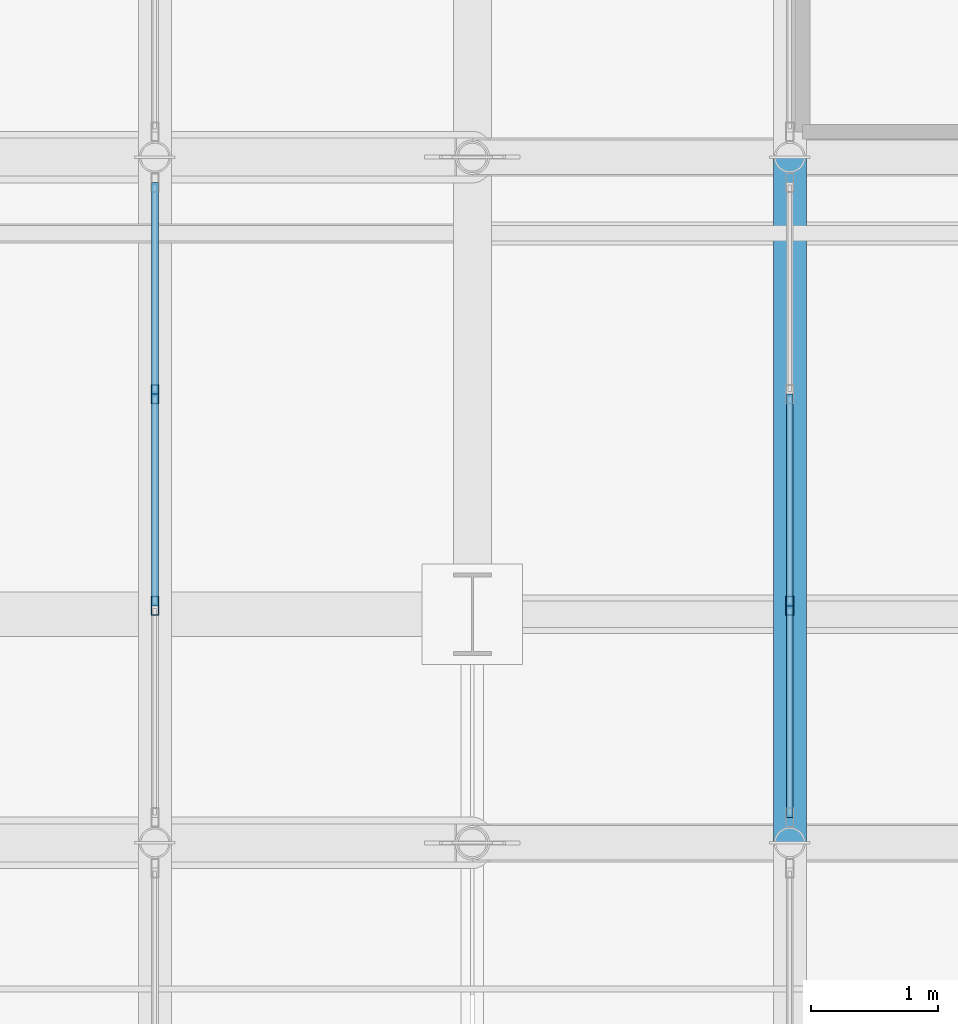
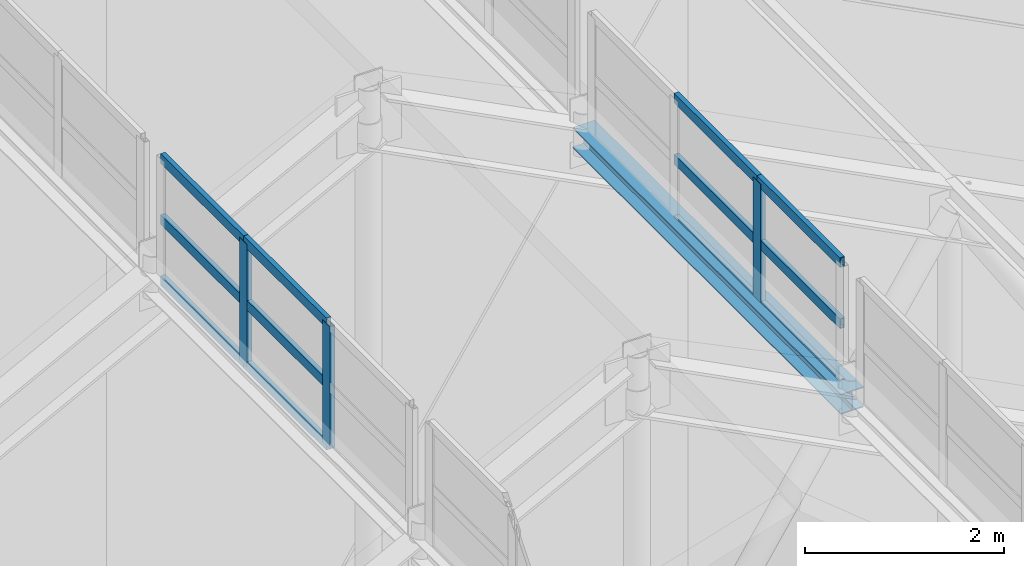
# One storey, part 52 of 84: 15 members, 1 beam, 2 elements without a shape of their own.
"""IFC4 building model written with IfcOpenShell, lengths in metres."""

from ifc_helpers import new_model, si_unit, direction, frame, origin, origin_2d, place, context, subcontext, project, spatial, hollow_rectangle, i_section, extrude, material, layer, layer_set, material_profile, profile_set, type_object, element, aggregate, save


model = new_model("IFC4")

# Units and contexts
model_context = context("Model", 3, precision=1e-05, world=origin(), true_north=direction((0.0, 1.0)))
body_context = subcontext(model_context, "Body", "Model", "MODEL_VIEW")
ifc_project = project(units=[si_unit("LENGTHUNIT", "METRE"), si_unit("AREAUNIT", "SQUARE_METRE"), si_unit("VOLUMEUNIT", "CUBIC_METRE"), si_unit("PLANEANGLEUNIT", "RADIAN"), si_unit("MASSUNIT", "GRAM", prefix="KILO")], contexts=[model_context])

# Site, building, storey
site_placement = place(None, origin())
site = spatial("IfcSite", under=ifc_project, at=site_placement, CompositionType="ELEMENT")
building_placement = place(site_placement, origin())
building = spatial("IfcBuilding", under=site, at=building_placement, Name="Sundgate Opera House", CompositionType="ELEMENT")
storey_placement = place(building_placement, frame((0.0, 0.0, 30.60009765625)))
storey = spatial("IfcBuildingStorey", under=building, at=storey_placement, Name="L06", CompositionType="ELEMENT", Elevation=30.60009765625)

# Beam
ifc_material_1 = material(Name="Steel S355J2", Category="steel")
ifc_material_profile_1 = material_profile(ifc_material_1, i_section(OverallWidth=0.260009765625, OverallDepth=0.25, WebThickness=0.007568359375, FlangeThickness=0.012451171875, at=origin_2d()), Name="HEA 260")
ifc_profile_set_1 = profile_set([ifc_material_profile_1], Name="Steel S355J2")
beam_type = type_object("IfcBeamType", Name="BM-LN-HEA260", PredefinedType="LINTEL", material=ifc_profile_set_1)
beam_placement = place(storey_placement, frame((56.5, 76.199951171875, 16.119873046875), z_axis=(0.0, 1.0, 0.0), x_axis=(-1.0, 0.0, 0.0)))
element("IfcBeam", 1, at=beam_placement, inside=storey, type_object=beam_type, Name="L06 Crown Clerestory Curb Beam BS039", PredefinedType="LINTEL", context=body_context, shape_type="SweptSolid", body=[
    extrude(i_section(OverallWidth=0.260009765625, OverallDepth=0.25, WebThickness=0.007568359375, FlangeThickness=0.012451171875, at=origin_2d()), origin(), (0.0, 0.0, 1.0), 5.400146484375),
])

# Curtain wall, members
ifc_material_2 = material(Name="Anodized aluminium and low-iron glass", Category="aluminium")
ifc_layer = layer(ifc_material_2, 0.169921875)
ifc_layer_set = layer_set([ifc_layer], Name="Anodized aluminium and low-iron glass")
curtain_wall_type = type_object("IfcCurtainWallType", Name="CW-LANTERN-POLY", PredefinedType="NOTDEFINED", material=ifc_layer_set)
curtain_wall_1_placement = place(storey_placement, origin())
curtain_wall_1 = element("IfcCurtainWall", 2, at=curtain_wall_1_placement, inside=storey, type_object=curtain_wall_type, Name="L06 Curtain Wall CW185", PredefinedType="NOTDEFINED")
ifc_material_3 = material(Name="Anodized aluminium EN AW-6063", Category="aluminium")
ifc_material_profile_2 = material_profile(ifc_material_3, hollow_rectangle(XDim=0.06005859375, YDim=0.14990234375, WallThickness=0.00390625, at=origin_2d()), Name="CWM 150x60x4")
ifc_profile_set_2 = profile_set([ifc_material_profile_2], Name="Anodized aluminium EN AW-6063")
member_type_1 = type_object("IfcMemberType", Name="CWM-ALU-150x60", PredefinedType="MULLION", material=ifc_profile_set_2)
member_1_placement = place(storey_placement, frame((51.5, 79.7333984375, 16.199951171875), z_axis=(0.0, 0.0, 1.0), x_axis=(1.0, 0.0, 0.0)))
member_1 = element("IfcMember", 3, at=member_1_placement, type_object=member_type_1, Name="CW185 Mullion 2", PredefinedType="MULLION", context=body_context, shape_type="SweptSolid", body=[
    extrude(hollow_rectangle(XDim=0.06005859375, YDim=0.14990234375, WallThickness=0.00390625, at=origin_2d()), origin(), (0.0, 0.0, 1.0), 1.5),
])
member_2_placement = place(storey_placement, frame((51.5, 78.066650390625, 16.199951171875), z_axis=(0.0, 0.0, 1.0), x_axis=(1.0, 0.0, 0.0)))
member_2 = element("IfcMember", 4, at=member_2_placement, type_object=member_type_1, Name="CW185 Mullion 3", PredefinedType="MULLION", context=body_context, shape_type="SweptSolid", body=[
    extrude(hollow_rectangle(XDim=0.06005859375, YDim=0.14990234375, WallThickness=0.00390625, at=origin_2d()), origin(), (0.0, 0.0, 1.0), 1.5),
])

# Curtain wall, member
curtain_wall_2_placement = place(storey_placement, origin())
curtain_wall_2 = element("IfcCurtainWall", 5, at=curtain_wall_2_placement, inside=storey, type_object=curtain_wall_type, Name="L06 Curtain Wall CW186", PredefinedType="NOTDEFINED")
member_3_placement = place(storey_placement, frame((56.5, 78.066650390625, 16.199951171875), z_axis=(0.0, 0.0, 1.0), x_axis=(1.0, 0.0, 0.0)))
member_3 = element("IfcMember", 6, at=member_3_placement, type_object=member_type_1, Name="CW186 Mullion 2", PredefinedType="MULLION", context=body_context, shape_type="SweptSolid", body=[
    extrude(hollow_rectangle(XDim=0.06005859375, YDim=0.14990234375, WallThickness=0.00390625, at=origin_2d()), origin(), (0.0, 0.0, 1.0), 1.5),
])

# Member
ifc_material_4 = material(Name="Anodized aluminium EN AW-6063", Category="aluminium")
ifc_material_profile_3 = material_profile(ifc_material_4, hollow_rectangle(XDim=0.054931640625, YDim=0.1201171875, WallThickness=0.00390625, at=origin_2d()), Name="CWT 120x55x4")
ifc_profile_set_3 = profile_set([ifc_material_profile_3], Name="Anodized aluminium EN AW-6063")
member_type_2 = type_object("IfcMemberType", Name="CWT-ALU-120x55", PredefinedType="USERDEFINED", material=ifc_profile_set_3)
member_4_placement = place(storey_placement, frame((51.5, 81.39990234375, 16.199951171875), z_axis=(0.0, -1.0, 0.0), x_axis=(1.0, 0.0, 0.0)))
member_4 = element("IfcMember", 7, at=member_4_placement, type_object=member_type_2, Name="CW185 Transom 1", ObjectType="TRANSOM", PredefinedType="USERDEFINED", context=body_context, shape_type="SweptSolid", body=[
    extrude(hollow_rectangle(XDim=0.054931640625, YDim=0.1201171875, WallThickness=0.00390625, at=origin_2d()), origin(), (0.0, 0.0, 1.0), 1.66650390625),
])

member_5_placement = place(storey_placement, frame((51.5, 81.39990234375, 16.949951171875), z_axis=(0.0, -1.0, 0.0), x_axis=(1.0, 0.0, 0.0)))
member_5 = element("IfcMember", 8, at=member_5_placement, type_object=member_type_2, Name="CW185 Transom 2", ObjectType="TRANSOM", PredefinedType="USERDEFINED", context=body_context, shape_type="SweptSolid", body=[
    extrude(hollow_rectangle(XDim=0.054931640625, YDim=0.1201171875, WallThickness=0.00390625, at=origin_2d()), origin(), (0.0, 0.0, 1.0), 1.66650390625),
])

member_6_placement = place(storey_placement, frame((51.5, 81.39990234375, 17.699951171875), z_axis=(0.0, -1.0, 0.0), x_axis=(1.0, 0.0, 0.0)))
member_6 = element("IfcMember", 9, at=member_6_placement, type_object=member_type_2, Name="CW185 Transom 3", ObjectType="TRANSOM", PredefinedType="USERDEFINED", context=body_context, shape_type="SweptSolid", body=[
    extrude(hollow_rectangle(XDim=0.054931640625, YDim=0.1201171875, WallThickness=0.00390625, at=origin_2d()), origin(), (0.0, 0.0, 1.0), 1.66650390625),
])

member_7_placement = place(storey_placement, frame((51.5, 79.7333984375, 16.199951171875), z_axis=(0.0, -1.0, 0.0), x_axis=(1.0, 0.0, 0.0)))
member_7 = element("IfcMember", 10, at=member_7_placement, type_object=member_type_2, Name="CW185 Transom 4", ObjectType="TRANSOM", PredefinedType="USERDEFINED", context=body_context, shape_type="SweptSolid", body=[
    extrude(hollow_rectangle(XDim=0.054931640625, YDim=0.1201171875, WallThickness=0.00390625, at=origin_2d()), origin(), (0.0, 0.0, 1.0), 1.666748046875),
])

member_8_placement = place(storey_placement, frame((51.5, 79.7333984375, 16.949951171875), z_axis=(0.0, -1.0, 0.0), x_axis=(1.0, 0.0, 0.0)))
member_8 = element("IfcMember", 11, at=member_8_placement, type_object=member_type_2, Name="CW185 Transom 5", ObjectType="TRANSOM", PredefinedType="USERDEFINED", context=body_context, shape_type="SweptSolid", body=[
    extrude(hollow_rectangle(XDim=0.054931640625, YDim=0.1201171875, WallThickness=0.00390625, at=origin_2d()), origin(), (0.0, 0.0, 1.0), 1.666748046875),
])

member_9_placement = place(storey_placement, frame((51.5, 79.7333984375, 17.699951171875), z_axis=(0.0, -1.0, 0.0), x_axis=(1.0, 0.0, 0.0)))
member_9 = element("IfcMember", 12, at=member_9_placement, type_object=member_type_2, Name="CW185 Transom 6", ObjectType="TRANSOM", PredefinedType="USERDEFINED", context=body_context, shape_type="SweptSolid", body=[
    extrude(hollow_rectangle(XDim=0.054931640625, YDim=0.1201171875, WallThickness=0.00390625, at=origin_2d()), origin(), (0.0, 0.0, 1.0), 1.666748046875),
])

aggregate(curtain_wall_1, [member_1, member_2, member_4, member_5, member_6, member_7, member_8, member_9])

member_10_placement = place(storey_placement, frame((56.5, 76.39990234375, 16.199951171875), z_axis=(0.0, 1.0, 0.0), x_axis=(-1.0, 0.0, 0.0)))
member_10 = element("IfcMember", 13, at=member_10_placement, type_object=member_type_2, Name="CW186 Transom 1", ObjectType="TRANSOM", PredefinedType="USERDEFINED", context=body_context, shape_type="SweptSolid", body=[
    extrude(hollow_rectangle(XDim=0.054931640625, YDim=0.1201171875, WallThickness=0.00390625, at=origin_2d()), origin(), (0.0, 0.0, 1.0), 1.666748046875),
])

member_11_placement = place(storey_placement, frame((56.5, 76.39990234375, 16.949951171875), z_axis=(0.0, 1.0, 0.0), x_axis=(-1.0, 0.0, 0.0)))
member_11 = element("IfcMember", 14, at=member_11_placement, type_object=member_type_2, Name="CW186 Transom 2", ObjectType="TRANSOM", PredefinedType="USERDEFINED", context=body_context, shape_type="SweptSolid", body=[
    extrude(hollow_rectangle(XDim=0.054931640625, YDim=0.1201171875, WallThickness=0.00390625, at=origin_2d()), origin(), (0.0, 0.0, 1.0), 1.666748046875),
])

member_12_placement = place(storey_placement, frame((56.5, 76.39990234375, 17.699951171875), z_axis=(0.0, 1.0, 0.0), x_axis=(-1.0, 0.0, 0.0)))
member_12 = element("IfcMember", 15, at=member_12_placement, type_object=member_type_2, Name="CW186 Transom 3", ObjectType="TRANSOM", PredefinedType="USERDEFINED", context=body_context, shape_type="SweptSolid", body=[
    extrude(hollow_rectangle(XDim=0.054931640625, YDim=0.1201171875, WallThickness=0.00390625, at=origin_2d()), origin(), (0.0, 0.0, 1.0), 1.666748046875),
])

member_13_placement = place(storey_placement, frame((56.5, 78.066650390625, 16.199951171875), z_axis=(0.0, 1.0, 0.0), x_axis=(-1.0, 0.0, 0.0)))
member_13 = element("IfcMember", 16, at=member_13_placement, type_object=member_type_2, Name="CW186 Transom 4", ObjectType="TRANSOM", PredefinedType="USERDEFINED", context=body_context, shape_type="SweptSolid", body=[
    extrude(hollow_rectangle(XDim=0.054931640625, YDim=0.1201171875, WallThickness=0.00390625, at=origin_2d()), origin(), (0.0, 0.0, 1.0), 1.666748046875),
])

member_14_placement = place(storey_placement, frame((56.5, 78.066650390625, 16.949951171875), z_axis=(0.0, 1.0, 0.0), x_axis=(-1.0, 0.0, 0.0)))
member_14 = element("IfcMember", 17, at=member_14_placement, type_object=member_type_2, Name="CW186 Transom 5", ObjectType="TRANSOM", PredefinedType="USERDEFINED", context=body_context, shape_type="SweptSolid", body=[
    extrude(hollow_rectangle(XDim=0.054931640625, YDim=0.1201171875, WallThickness=0.00390625, at=origin_2d()), origin(), (0.0, 0.0, 1.0), 1.666748046875),
])

member_15_placement = place(storey_placement, frame((56.5, 78.066650390625, 17.699951171875), z_axis=(0.0, 1.0, 0.0), x_axis=(-1.0, 0.0, 0.0)))
member_15 = element("IfcMember", 18, at=member_15_placement, type_object=member_type_2, Name="CW186 Transom 6", ObjectType="TRANSOM", PredefinedType="USERDEFINED", context=body_context, shape_type="SweptSolid", body=[
    extrude(hollow_rectangle(XDim=0.054931640625, YDim=0.1201171875, WallThickness=0.00390625, at=origin_2d()), origin(), (0.0, 0.0, 1.0), 1.666748046875),
])

aggregate(curtain_wall_2, [member_3, member_10, member_11, member_12, member_13, member_14, member_15])

save(model, "model.ifc")
